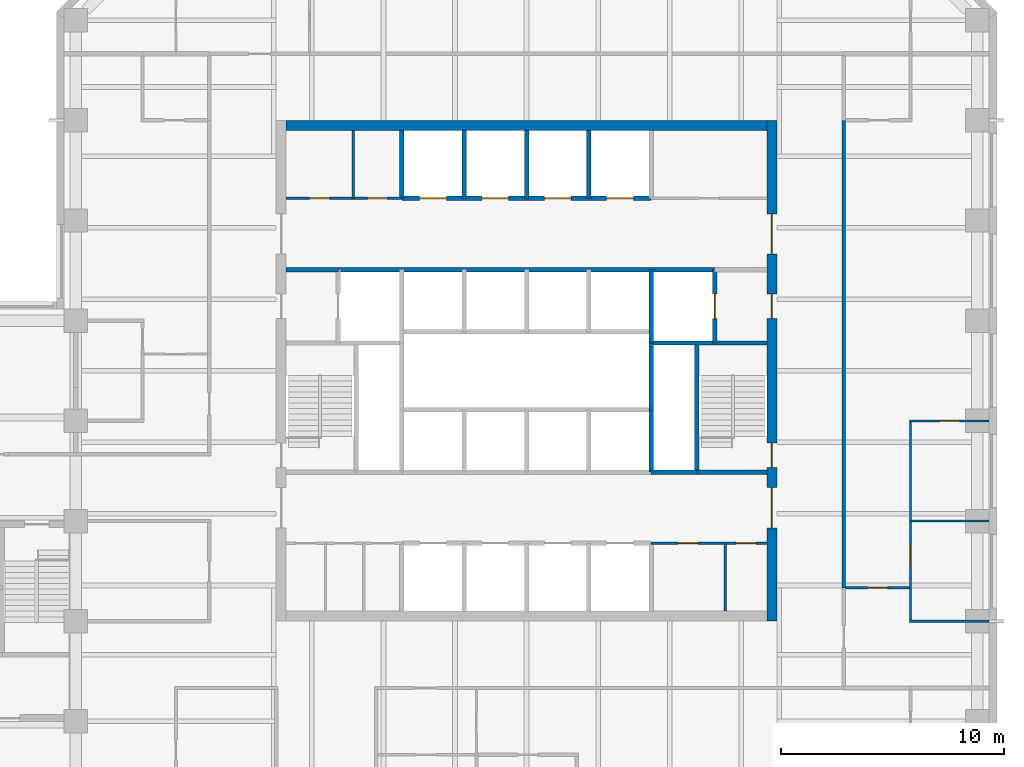
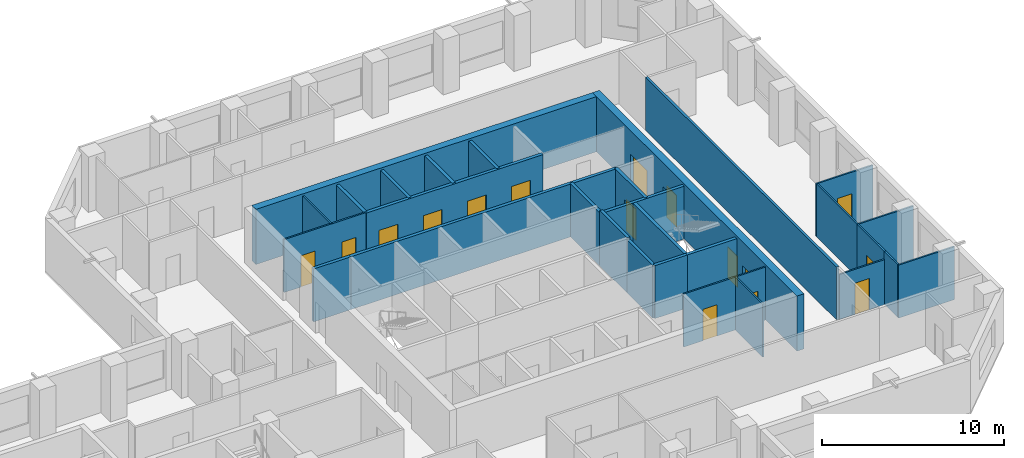
# One storey, part 8 of 11: 29 walls, 16 doors, 16 openings.
"""IFC4 building model written with IfcOpenShell, lengths in metres."""

from ifc_helpers import new_model, si_unit, direction, frame, frame_2d, origin, place, context, subcontext, project, spatial, rectangle, extrude, material, layer, layer_set, type_object, element, fill, save


model = new_model("IFC4")

# Units and contexts
model_context = context("Model", 3, precision=1e-05, world=origin(), true_north=direction((0.0, 1.0)))
body_context = subcontext(model_context, "Body", "Model", "MODEL_VIEW")
ifc_project = project(units=[si_unit("LENGTHUNIT", "METRE"), si_unit("AREAUNIT", "SQUARE_METRE"), si_unit("VOLUMEUNIT", "CUBIC_METRE"), si_unit("PLANEANGLEUNIT", "RADIAN"), si_unit("MASSUNIT", "GRAM", prefix="KILO")], contexts=[model_context])

# Site, building, storey
site_placement = place(None, origin())
site = spatial("IfcSite", under=ifc_project, at=site_placement, CompositionType="ELEMENT")
building_placement = place(site_placement, origin())
building = spatial("IfcBuilding", under=site, at=building_placement, Name="Quoin Convention Tower", CompositionType="ELEMENT")
storey_placement = place(building_placement, frame((0.0, 0.0, 78.89990234375)))
storey = spatial("IfcBuildingStorey", under=building, at=storey_placement, Name="L20", CompositionType="ELEMENT", Elevation=78.89990234375)

# Wall, openings, doors
ifc_material_1 = material(Name="Plasterboard")
ifc_layer_1 = layer(ifc_material_1, 0.012451171875, Name="Finish")
ifc_material_2 = material(Name="Steel stud framing", Category="steel")
ifc_layer_2 = layer(ifc_material_2, 0.074951171875, Name="Structure")
ifc_layer_3 = layer(ifc_material_1, 0.012451171875, Name="Finish")
ifc_layer_set_1 = layer_set([ifc_layer_1, ifc_layer_2, ifc_layer_3], Name="Steel stud framing")
wall_type_1 = type_object("IfcWallType", Name="Core partition wall", PredefinedType="PARTITIONING", material=ifc_layer_set_1)
wall_1_placement = place(storey_placement, frame((61.85009765625, 53.0, 0.0), z_axis=(0.0, 0.0, 1.0), x_axis=(1.0, 0.0, 0.0)))
wall_1 = element("IfcWall", 1, at=wall_1_placement, inside=storey, type_object=wall_type_1, Name="cr-C1-L20-h3500_16850", PredefinedType="PARTITIONING", context=body_context, shape_type="SweptSolid", body=[
    extrude(rectangle(XDim=5.199951171875, YDim=0.10009765625, at=frame_2d((2.60009765625, 0.0))), origin(), (0.0, 0.0, 1.0), 3.550048828125),
])
opening_1_placement = place(wall_1_placement, frame((3.81396484375, 0.0, 0.0)))
opening_1 = element("IfcOpeningElement", 2, at=opening_1_placement, cuts=wall_1, Name="Opening DCV1-25", PredefinedType="OPENING", context=body_context, shape_type="SweptSolid", body=[
    extrude(rectangle(XDim=0.89990234375, YDim=2.10009765625, at=frame_2d((0.449951171875, 1.050048828125))), frame((0.0, 0.06005859375, 0.0), z_axis=(0.0, -1.0, 0.0), x_axis=(1.0, 0.0, 0.0)), (0.0, 0.0, 1.0), 0.1201171875),
])
opening_2_placement = place(wall_1_placement, frame((1.214111328125, 0.0, 0.0)))
opening_2 = element("IfcOpeningElement", 3, at=opening_2_placement, cuts=wall_1, Name="Opening DCV1-21", PredefinedType="OPENING", context=body_context, shape_type="SweptSolid", body=[
    extrude(rectangle(XDim=0.89990234375, YDim=2.10009765625, at=frame_2d((0.449951171875, 1.050048828125))), frame((0.0, 0.06005859375, 0.0), z_axis=(0.0, -1.0, 0.0), x_axis=(1.0, 0.0, 0.0)), (0.0, 0.0, 1.0), 0.1201171875),
])
ifc_material_3 = material(Name="Steel door leaf", Category="steel")
door_type_1 = type_object("IfcDoorType", Name="Core room door 900 x 2100", OperationType="SINGLE_SWING_LEFT", PredefinedType="DOOR", material=ifc_material_3)
door_1_placement = place(opening_1_placement, frame((0.89990234375, 0.0, 0.0), z_axis=(0.0, 0.0, 1.0), x_axis=(-1.0, 0.0, 0.0)))
door_1 = element("IfcDoor", 4, at=door_1_placement, inside=storey, type_object=door_type_1, Name="cd-C1-L20-CSE0-lobA-CD2010", OperationType="SINGLE_SWING_LEFT", OverallHeight=2.10009765625, OverallWidth=0.89990234375, PredefinedType="DOOR", context=body_context, shape_type="SweptSolid", body=[
    extrude(rectangle(XDim=0.89990234375, YDim=2.10009765625, at=frame_2d((0.449951171875, 1.050048828125))), frame((0.0, 0.02490234375, 0.0), z_axis=(0.0, -1.0, 0.0), x_axis=(1.0, 0.0, 0.0)), (0.0, 0.0, 1.0), 0.050048828125),
])
fill(opening_1, door_1)
door_2_placement = place(opening_2_placement, frame((0.89990234375, 0.0, 0.0), z_axis=(0.0, 0.0, 1.0), x_axis=(-1.0, 0.0, 0.0)))
door_2 = element("IfcDoor", 5, at=door_2_placement, inside=storey, type_object=door_type_1, Name="cd-C1-L20-CSE1-lobA-CD2011", OperationType="SINGLE_SWING_RIGHT", OverallHeight=2.10009765625, OverallWidth=0.89990234375, PredefinedType="DOOR", context=body_context, shape_type="SweptSolid", body=[
    extrude(rectangle(XDim=0.89990234375, YDim=2.10009765625, at=frame_2d((0.449951171875, 1.050048828125))), frame((0.0, 0.02490234375, 0.0), z_axis=(0.0, -1.0, 0.0), x_axis=(1.0, 0.0, 0.0)), (0.0, 0.0, 1.0), 0.050048828125),
])
fill(opening_2, door_2)

wall_2_placement = place(storey_placement, frame((45.449951171875, 68.5, 0.0), z_axis=(0.0, 0.0, 1.0), x_axis=(1.0, 0.0, 0.0)))
wall_2 = element("IfcWall", 6, at=wall_2_placement, inside=storey, type_object=wall_type_1, Name="cr-C1-L20-h19000_450", PredefinedType="PARTITIONING", context=body_context, shape_type="SweptSolid", body=[
    extrude(rectangle(XDim=5.199951171875, YDim=0.10009765625, at=frame_2d((2.60009765625, 0.0))), origin(), (0.0, 0.0, 1.0), 3.550048828125),
])
opening_3_placement = place(wall_2_placement, frame((1.05810546875, 0.0, 0.0)))
opening_3 = element("IfcOpeningElement", 7, at=opening_3_placement, cuts=wall_2, Name="Opening DCV1-13", PredefinedType="OPENING", context=body_context, shape_type="SweptSolid", body=[
    extrude(rectangle(XDim=0.89990234375, YDim=2.10009765625, at=frame_2d((0.449951171875, 1.050048828125))), frame((0.0, 0.06005859375, 0.0), z_axis=(0.0, -1.0, 0.0), x_axis=(1.0, 0.0, 0.0)), (0.0, 0.0, 1.0), 0.1201171875),
])
opening_4_placement = place(wall_2_placement, frame((3.657958984375, 0.0, 0.0)))
opening_4 = element("IfcOpeningElement", 8, at=opening_4_placement, cuts=wall_2, Name="Opening DCV1-14", PredefinedType="OPENING", context=body_context, shape_type="SweptSolid", body=[
    extrude(rectangle(XDim=0.89990234375, YDim=2.10009765625, at=frame_2d((0.449951171875, 1.050048828125))), frame((0.0, 0.06005859375, 0.0), z_axis=(0.0, -1.0, 0.0), x_axis=(1.0, 0.0, 0.0)), (0.0, 0.0, 1.0), 0.1201171875),
])
door_3_placement = place(opening_3_placement, origin())
door_3 = element("IfcDoor", 9, at=door_3_placement, inside=storey, type_object=door_type_1, Name="cd-C1-L20-CNW0-lobB-CD2008", OperationType="SINGLE_SWING_RIGHT", OverallHeight=2.10009765625, OverallWidth=0.89990234375, PredefinedType="DOOR", context=body_context, shape_type="SweptSolid", body=[
    extrude(rectangle(XDim=0.89990234375, YDim=2.10009765625, at=frame_2d((0.449951171875, 1.050048828125))), frame((0.0, 0.02490234375, 0.0), z_axis=(0.0, -1.0, 0.0), x_axis=(1.0, 0.0, 0.0)), (0.0, 0.0, 1.0), 0.050048828125),
])
fill(opening_3, door_3)
door_4_placement = place(opening_4_placement, origin())
door_4 = element("IfcDoor", 10, at=door_4_placement, inside=storey, type_object=door_type_1, Name="cd-C1-L20-CNW1-lobB-CD2009", OperationType="SINGLE_SWING_RIGHT", OverallHeight=2.10009765625, OverallWidth=0.89990234375, PredefinedType="DOOR", context=body_context, shape_type="SweptSolid", body=[
    extrude(rectangle(XDim=0.89990234375, YDim=2.10009765625, at=frame_2d((0.449951171875, 1.050048828125))), frame((0.0, 0.02490234375, 0.0), z_axis=(0.0, -1.0, 0.0), x_axis=(1.0, 0.0, 0.0)), (0.0, 0.0, 1.0), 0.050048828125),
])
fill(opening_4, door_4)

# Walls
for number, where, z_axis, x_axis, name in (
    (11, (48.466064453125, 68.5, 0.0), (0.0, 0.0, 1.0), (0.0, 1.0, 0.0), "cr-C1-L20-v3466_19000"),
    (12, (65.177978515625, 49.949951171875, 0.0), (0.0, 0.0, 1.0), (0.0, 1.0, 0.0), "cr-C1-L20-v20178_450"),
):
    element("IfcWall", number, at=place(storey_placement, frame(where, z_axis=z_axis, x_axis=x_axis)), inside=storey, type_object=wall_type_1, Name=name, PredefinedType="PARTITIONING", context=body_context, shape_type="SweptSolid", body=[
        extrude(rectangle(XDim=3.050048828125, YDim=0.10009765625, at=frame_2d((1.52490234375, 0.0))), origin(), (0.0, 0.0, 1.0), 3.550048828125),
    ])
ifc_material_4 = material(Name="Concrete C50", Category="concrete")
ifc_layer_4 = layer(ifc_material_4, 0.199951171875)
ifc_layer_set_2 = layer_set([ifc_layer_4], Name="Concrete C50")
wall_type_2 = type_object("IfcWallType", Name="Core shaft wall", PredefinedType="SOLIDWALL", material=ifc_layer_set_2)
wall_3_placement = place(storey_placement, frame((61.85009765625, 56.199951171875, 0.0), z_axis=(0.0, 0.0, 1.0), x_axis=(1.0, 0.0, 0.0)))
element("IfcWall", 13, at=wall_3_placement, inside=storey, type_object=wall_type_2, Name="cr-C1-L20-h6700_16850", PredefinedType="SOLIDWALL", context=body_context, shape_type="SweptSolid", body=[
    extrude(rectangle(XDim=2.0498046875, YDim=0.199951171875, at=frame_2d((1.02490234375, 0.0))), origin(), (0.0, 0.0, 1.0), 3.550048828125),
])
wall_4_placement = place(storey_placement, frame((63.89990234375, 56.199951171875, 0.0), z_axis=(0.0, 0.0, 1.0), x_axis=(1.0, 0.0, 0.0)))
element("IfcWall", 14, at=wall_4_placement, inside=storey, type_object=wall_type_2, Name="cr-C1-L20-h6700_18900", PredefinedType="SOLIDWALL", context=body_context, shape_type="SweptSolid", body=[
    extrude(rectangle(XDim=3.150146484375, YDim=0.199951171875, at=frame_2d((1.5751953125, 0.0))), origin(), (0.0, 0.0, 1.0), 3.550048828125),
])
wall_5_placement = place(storey_placement, frame((61.85009765625, 62.0, 0.0), z_axis=(0.0, 0.0, 1.0), x_axis=(1.0, 0.0, 0.0)))
element("IfcWall", 15, at=wall_5_placement, inside=storey, type_object=wall_type_2, Name="cr-C1-L20-h12500_16850", PredefinedType="SOLIDWALL", context=body_context, shape_type="SweptSolid", body=[
    extrude(rectangle(XDim=5.199951171875, YDim=0.199951171875, at=frame_2d((2.60009765625, 0.0))), origin(), (0.0, 0.0, 1.0), 3.550048828125),
])
wall_6_placement = place(storey_placement, frame((45.449951171875, 65.300048828125, 0.0), z_axis=(0.0, 0.0, 1.0), x_axis=(1.0, 0.0, 0.0)))
element("IfcWall", 16, at=wall_6_placement, inside=storey, type_object=wall_type_2, Name="cr-C1-L20-h15800_450", PredefinedType="SOLIDWALL", context=body_context, shape_type="SweptSolid", body=[
    extrude(rectangle(XDim=2.35009765625, YDim=0.199951171875, at=frame_2d((1.175048828125, 0.0))), origin(), (0.0, 0.0, 1.0), 3.550048828125),
])
wall_7_placement = place(storey_placement, frame((47.800048828125, 65.300048828125, 0.0), z_axis=(0.0, 0.0, 1.0), x_axis=(1.0, 0.0, 0.0)))
element("IfcWall", 17, at=wall_7_placement, inside=storey, type_object=wall_type_2, Name="cr-C1-L20-h15800_2800", PredefinedType="SOLIDWALL", context=body_context, shape_type="SweptSolid", body=[
    extrude(rectangle(XDim=16.89990234375, YDim=0.199951171875, at=frame_2d((8.449951171875, 0.0))), origin(), (0.0, 0.0, 1.0), 3.550048828125),
])

# Wall, openings, doors
wall_8_placement = place(storey_placement, frame((50.64990234375, 68.5, 0.0), z_axis=(0.0, 0.0, 1.0), x_axis=(1.0, 0.0, 0.0)))
wall_8 = element("IfcWall", 18, at=wall_8_placement, inside=storey, type_object=wall_type_2, Name="cr-C1-L20-h19000_5650", PredefinedType="SOLIDWALL", context=body_context, shape_type="SweptSolid", body=[
    extrude(rectangle(XDim=11.2001953125, YDim=0.199951171875, at=frame_2d((5.60009765625, 0.0))), origin(), (0.0, 0.0, 1.0), 3.550048828125),
])
opening_5_placement = place(wall_8_placement, frame((0.800048828125, 0.0, 0.0)))
opening_5 = element("IfcOpeningElement", 19, at=opening_5_placement, cuts=wall_8, Name="Opening LDL5", PredefinedType="OPENING", context=body_context, shape_type="SweptSolid", body=[
    extrude(rectangle(XDim=1.199951171875, YDim=2.10009765625, at=frame_2d((0.60009765625, 1.050048828125))), frame((0.0, 0.10986328125, 0.0), z_axis=(0.0, -1.0, 0.0), x_axis=(1.0, 0.0, 0.0)), (0.0, 0.0, 1.0), 0.219970703125),
])
opening_6_placement = place(wall_8_placement, frame((3.60009765625, 0.0, 0.0)))
opening_6 = element("IfcOpeningElement", 20, at=opening_6_placement, cuts=wall_8, Name="Opening LDL6", PredefinedType="OPENING", context=body_context, shape_type="SweptSolid", body=[
    extrude(rectangle(XDim=1.199951171875, YDim=2.10009765625, at=frame_2d((0.60009765625, 1.050048828125))), frame((0.0, 0.10986328125, 0.0), z_axis=(0.0, -1.0, 0.0), x_axis=(1.0, 0.0, 0.0)), (0.0, 0.0, 1.0), 0.219970703125),
])
opening_7_placement = place(wall_8_placement, frame((6.39990234375, 0.0, 0.0)))
opening_7 = element("IfcOpeningElement", 21, at=opening_7_placement, cuts=wall_8, Name="Opening LDL7", PredefinedType="OPENING", context=body_context, shape_type="SweptSolid", body=[
    extrude(rectangle(XDim=1.199951171875, YDim=2.10009765625, at=frame_2d((0.60009765625, 1.050048828125))), frame((0.0, 0.10986328125, 0.0), z_axis=(0.0, -1.0, 0.0), x_axis=(1.0, 0.0, 0.0)), (0.0, 0.0, 1.0), 0.219970703125),
])
opening_8_placement = place(wall_8_placement, frame((9.199951171875, 0.0, 0.0)))
opening_8 = element("IfcOpeningElement", 22, at=opening_8_placement, cuts=wall_8, Name="Opening LDL8", PredefinedType="OPENING", context=body_context, shape_type="SweptSolid", body=[
    extrude(rectangle(XDim=1.199951171875, YDim=2.10009765625, at=frame_2d((0.60009765625, 1.050048828125))), frame((0.0, 0.10986328125, 0.0), z_axis=(0.0, -1.0, 0.0), x_axis=(1.0, 0.0, 0.0)), (0.0, 0.0, 1.0), 0.219970703125),
])
door_type_2 = type_object("IfcDoorType", Name="Lift landing door 1200 x 2100", OperationType="DOUBLE_DOOR_SLIDING", PredefinedType="DOOR", material=ifc_material_3)
door_5_placement = place(opening_5_placement, origin())
door_5 = element("IfcDoor", 23, at=door_5_placement, inside=storey, type_object=door_type_2, Name="cd-C1-L20-R40-lobB-LDL5", OperationType="DOUBLE_DOOR_SLIDING", OverallHeight=2.10009765625, OverallWidth=1.199951171875, PredefinedType="DOOR", context=body_context, shape_type="SweptSolid", body=[
    extrude(rectangle(XDim=1.199951171875, YDim=2.10009765625, at=frame_2d((0.60009765625, 1.050048828125))), frame((0.0, 0.02490234375, 0.0), z_axis=(0.0, -1.0, 0.0), x_axis=(1.0, 0.0, 0.0)), (0.0, 0.0, 1.0), 0.050048828125),
])
fill(opening_5, door_5)
door_6_placement = place(opening_6_placement, origin())
door_6 = element("IfcDoor", 24, at=door_6_placement, inside=storey, type_object=door_type_2, Name="cd-C1-L20-R41-lobB-LDL6", OperationType="DOUBLE_DOOR_SLIDING", OverallHeight=2.10009765625, OverallWidth=1.199951171875, PredefinedType="DOOR", context=body_context, shape_type="SweptSolid", body=[
    extrude(rectangle(XDim=1.199951171875, YDim=2.10009765625, at=frame_2d((0.60009765625, 1.050048828125))), frame((0.0, 0.02490234375, 0.0), z_axis=(0.0, -1.0, 0.0), x_axis=(1.0, 0.0, 0.0)), (0.0, 0.0, 1.0), 0.050048828125),
])
fill(opening_6, door_6)
door_7_placement = place(opening_7_placement, origin())
door_7 = element("IfcDoor", 25, at=door_7_placement, inside=storey, type_object=door_type_2, Name="cd-C1-L20-R42-lobB-LDL7", OperationType="DOUBLE_DOOR_SLIDING", OverallHeight=2.10009765625, OverallWidth=1.199951171875, PredefinedType="DOOR", context=body_context, shape_type="SweptSolid", body=[
    extrude(rectangle(XDim=1.199951171875, YDim=2.10009765625, at=frame_2d((0.60009765625, 1.050048828125))), frame((0.0, 0.02490234375, 0.0), z_axis=(0.0, -1.0, 0.0), x_axis=(1.0, 0.0, 0.0)), (0.0, 0.0, 1.0), 0.050048828125),
])
fill(opening_7, door_7)
door_8_placement = place(opening_8_placement, origin())
door_8 = element("IfcDoor", 26, at=door_8_placement, inside=storey, type_object=door_type_2, Name="cd-C1-L20-R43-lobB-LDL8", OperationType="DOUBLE_DOOR_SLIDING", OverallHeight=2.10009765625, OverallWidth=1.199951171875, PredefinedType="DOOR", context=body_context, shape_type="SweptSolid", body=[
    extrude(rectangle(XDim=1.199951171875, YDim=2.10009765625, at=frame_2d((0.60009765625, 1.050048828125))), frame((0.0, 0.02490234375, 0.0), z_axis=(0.0, -1.0, 0.0), x_axis=(1.0, 0.0, 0.0)), (0.0, 0.0, 1.0), 0.050048828125),
])
fill(opening_8, door_8)

# Walls
for number, where, z_axis, x_axis, name in (
    (27, (50.64990234375, 68.5, 0.0), (0.0, 0.0, 1.0), (0.0, 1.0, 0.0), "cr-C1-L20-v5650_19000"),
    (28, (53.449951171875, 68.5, 0.0), (0.0, 0.0, 1.0), (0.0, 1.0, 0.0), "cr-C1-L20-v8450_19000"),
    (29, (56.25, 68.5, 0.0), (0.0, 0.0, 1.0), (0.0, 1.0, 0.0), "cr-C1-L20-v11250_19000"),
    (30, (59.050048828125, 68.5, 0.0), (0.0, 0.0, 1.0), (0.0, 1.0, 0.0), "cr-C1-L20-v14050_19000"),
):
    element("IfcWall", number, at=place(storey_placement, frame(where, z_axis=z_axis, x_axis=x_axis)), inside=storey, type_object=wall_type_2, Name=name, PredefinedType="SOLIDWALL", context=body_context, shape_type="SweptSolid", body=[
        extrude(rectangle(XDim=3.050048828125, YDim=0.199951171875, at=frame_2d((1.52490234375, 0.0))), origin(), (0.0, 0.0, 1.0), 3.550048828125),
    ])
wall_9_placement = place(storey_placement, frame((61.85009765625, 56.199951171875, 0.0), z_axis=(0.0, 0.0, 1.0), x_axis=(0.0, 1.0, 0.0)))
element("IfcWall", 31, at=wall_9_placement, inside=storey, type_object=wall_type_2, Name="cr-C1-L20-v16850_6700", PredefinedType="SOLIDWALL", context=body_context, shape_type="SweptSolid", body=[
    extrude(rectangle(XDim=2.800048828125, YDim=0.199951171875, at=frame_2d((1.39990234375, 0.0))), origin(), (0.0, 0.0, 1.0), 3.550048828125),
])
wall_10_placement = place(storey_placement, frame((61.85009765625, 62.0, 0.0), z_axis=(0.0, 0.0, 1.0), x_axis=(0.0, 1.0, 0.0)))
element("IfcWall", 32, at=wall_10_placement, inside=storey, type_object=wall_type_2, Name="cr-C1-L20-v16850_12500", PredefinedType="SOLIDWALL", context=body_context, shape_type="SweptSolid", body=[
    extrude(rectangle(XDim=3.300048828125, YDim=0.199951171875, at=frame_2d((1.64990234375, 0.0))), origin(), (0.0, 0.0, 1.0), 3.550048828125),
])
wall_11_placement = place(storey_placement, frame((63.89990234375, 56.199951171875, 0.0), z_axis=(0.0, 0.0, 1.0), x_axis=(0.0, 1.0, 0.0)))
element("IfcWall", 33, at=wall_11_placement, inside=storey, type_object=wall_type_2, Name="cr-C1-L20-v18900_6700", PredefinedType="SOLIDWALL", context=body_context, shape_type="SweptSolid", body=[
    extrude(rectangle(XDim=5.800048828125, YDim=0.199951171875, at=frame_2d((2.89990234375, 0.0))), origin(), (0.0, 0.0, 1.0), 3.550048828125),
])

# Wall, opening, door
wall_12_placement = place(storey_placement, frame((64.699951171875, 62.0, 0.0), z_axis=(0.0, 0.0, 1.0), x_axis=(0.0, 1.0, 0.0)))
wall_12 = element("IfcWall", 34, at=wall_12_placement, inside=storey, type_object=wall_type_2, Name="cr-C1-L20-v19700_12500", PredefinedType="SOLIDWALL", context=body_context, shape_type="SweptSolid", body=[
    extrude(rectangle(XDim=3.300048828125, YDim=0.199951171875, at=frame_2d((1.64990234375, 0.0))), origin(), (0.0, 0.0, 1.0), 3.550048828125),
])
opening_9_placement = place(wall_12_placement, frame((1.10009765625, 0.0, 0.0)))
opening_9 = element("IfcOpeningElement", 35, at=opening_9_placement, cuts=wall_12, Name="Opening LDFL2", PredefinedType="OPENING", context=body_context, shape_type="SweptSolid", body=[
    extrude(rectangle(XDim=1.10009765625, YDim=2.10009765625, at=frame_2d((0.550048828125, 1.050048828125))), frame((0.0, 0.10986328125, 0.0), z_axis=(0.0, -1.0, 0.0), x_axis=(1.0, 0.0, 0.0)), (0.0, 0.0, 1.0), 0.219970703125),
])
door_type_3 = type_object("IfcDoorType", Name="Lift landing door 1100 x 2100", OperationType="DOUBLE_DOOR_SLIDING", PredefinedType="DOOR", material=ifc_material_3)
door_9_placement = place(opening_9_placement, origin())
door_9 = element("IfcDoor", 36, at=door_9_placement, inside=storey, type_object=door_type_3, Name="cd-C1-L20-FLE-FFE-LDFL2", OperationType="DOUBLE_DOOR_SLIDING", OverallHeight=2.10009765625, OverallWidth=1.10009765625, PredefinedType="DOOR", context=body_context, shape_type="SweptSolid", body=[
    extrude(rectangle(XDim=1.10009765625, YDim=2.10009765625, at=frame_2d((0.550048828125, 1.050048828125))), frame((0.0, 0.02490234375, 0.0), z_axis=(0.0, -1.0, 0.0), x_axis=(1.0, 0.0, 0.0)), (0.0, 0.0, 1.0), 0.050048828125),
])
fill(opening_9, door_9)

# Walls
ifc_layer_5 = layer(ifc_material_4, 0.199951171875)
ifc_layer_set_3 = layer_set([ifc_layer_5], Name="Concrete C50")
wall_type_3 = type_object("IfcWallType", Name="Core shaft wall to the floor level over", PredefinedType="SOLIDWALL", material=ifc_layer_set_3)
wall_13_placement = place(storey_placement, frame((61.85009765625, 59.0, 0.0), z_axis=(0.0, 0.0, 1.0), x_axis=(0.0, 1.0, 0.0)))
element("IfcWall", 37, at=wall_13_placement, inside=storey, type_object=wall_type_3, Name="cr-C1-L20-v16850_9500", PredefinedType="SOLIDWALL", context=body_context, shape_type="SweptSolid", body=[
    extrude(rectangle(XDim=3.0, YDim=0.199951171875, at=frame_2d((1.5, 0.0))), origin(), (0.0, 0.0, 1.0), 3.7001953125),
])
ifc_layer_6 = layer(ifc_material_1, 0.012451171875, Name="Finish")
ifc_layer_7 = layer(ifc_material_2, 0.125, Name="Structure")
ifc_layer_8 = layer(ifc_material_1, 0.012451171875, Name="Finish")
ifc_layer_set_4 = layer_set([ifc_layer_6, ifc_layer_7, ifc_layer_8], Name="Steel stud framing")
wall_type_4 = type_object("IfcWallType", Name="Corridor wall 150", PredefinedType="PARTITIONING", material=ifc_layer_set_4)
wall_14_placement = place(storey_placement, frame((70.5, 51.0, 0.0), z_axis=(0.0, 0.0, 1.0), x_axis=(0.0, 1.0, 0.0)))
element("IfcWall", 38, at=wall_14_placement, inside=storey, type_object=wall_type_4, Name="pw-L20-092", PredefinedType="PARTITIONING", context=body_context, shape_type="SweptSolid", body=[
    extrude(rectangle(XDim=21.0, YDim=0.14990234375, at=frame_2d((10.5, 0.0))), origin(), (0.0, 0.0, 1.0), 3.550048828125),
])
ifc_material_5 = material(Name="Concrete C65", Category="concrete")
ifc_layer_9 = layer(ifc_material_5, 0.449951171875)
ifc_layer_set_5 = layer_set([ifc_layer_9], Name="Concrete C65")
wall_type_5 = type_object("IfcWallType", Name="RC CORE WALL 450 C65", PredefinedType="SHEAR", material=ifc_layer_set_5)
wall_15_placement = place(storey_placement, frame((45.449951171875, 71.77490234375, 0.0), z_axis=(0.0, 0.0, 1.0), x_axis=(1.0, 0.0, 0.0)))
element("IfcWall", 39, at=wall_15_placement, inside=storey, type_object=wall_type_5, Name="cwl-C1-L20-N", PredefinedType="SHEAR", context=body_context, shape_type="SweptSolid", body=[
    extrude(rectangle(XDim=21.60009765625, YDim=0.449951171875, at=frame_2d((10.800048828125, 0.0))), origin(), (0.0, 0.0, 1.0), 3.7001953125),
])

# Wall, openings, doors
wall_16_placement = place(storey_placement, frame((67.27490234375, 49.5, 0.0), z_axis=(0.0, 0.0, 1.0), x_axis=(0.0, 1.0, 0.0)))
wall_16 = element("IfcWall", 40, at=wall_16_placement, inside=storey, type_object=wall_type_5, Name="cwl-C1-L20-E", PredefinedType="SHEAR", context=body_context, shape_type="SweptSolid", body=[
    extrude(rectangle(XDim=22.5, YDim=0.449951171875, at=frame_2d((11.25, 0.0))), origin(), (0.0, 0.0, 1.0), 3.7001953125),
])
opening_10_placement = place(wall_16_placement, frame((4.199951171875, 0.0, 0.0)))
opening_10 = element("IfcOpeningElement", 41, at=opening_10_placement, cuts=wall_16, Name="Opening DCV1-47", PredefinedType="OPENING", context=body_context, shape_type="SweptSolid", body=[
    extrude(rectangle(XDim=1.800048828125, YDim=2.10009765625, at=frame_2d((0.89990234375, 1.050048828125))), frame((0.0, 0.23486328125, 0.0), z_axis=(0.0, -1.0, 0.0), x_axis=(1.0, 0.0, 0.0)), (0.0, 0.0, 1.0), 0.469970703125),
])
opening_11_placement = place(wall_16_placement, frame((6.89990234375, 0.0, 0.0)))
opening_11 = element("IfcOpeningElement", 42, at=opening_11_placement, cuts=wall_16, Name="Opening SD2", PredefinedType="OPENING", context=body_context, shape_type="SweptSolid", body=[
    extrude(rectangle(XDim=1.10009765625, YDim=2.10009765625, at=frame_2d((0.550048828125, 1.050048828125))), frame((0.0, 0.23486328125, 0.0), z_axis=(0.0, -1.0, 0.0), x_axis=(1.0, 0.0, 0.0)), (0.0, 0.0, 1.0), 0.469970703125),
])
opening_12_placement = place(wall_16_placement, frame((13.60009765625, 0.0, 0.0)))
opening_12 = element("IfcOpeningElement", 43, at=opening_12_placement, cuts=wall_16, Name="Opening DCV1-46", PredefinedType="OPENING", context=body_context, shape_type="SweptSolid", body=[
    extrude(rectangle(XDim=1.10009765625, YDim=2.10009765625, at=frame_2d((0.550048828125, 1.050048828125))), frame((0.0, 0.23486328125, 0.0), z_axis=(0.0, -1.0, 0.0), x_axis=(1.0, 0.0, 0.0)), (0.0, 0.0, 1.0), 0.469970703125),
])
opening_13_placement = place(wall_16_placement, frame((16.5, 0.0, 0.0)))
opening_13 = element("IfcOpeningElement", 44, at=opening_13_placement, cuts=wall_16, Name="Opening DCV1-47", PredefinedType="OPENING", context=body_context, shape_type="SweptSolid", body=[
    extrude(rectangle(XDim=1.800048828125, YDim=2.10009765625, at=frame_2d((0.89990234375, 1.050048828125))), frame((0.0, 0.23486328125, 0.0), z_axis=(0.0, -1.0, 0.0), x_axis=(1.0, 0.0, 0.0)), (0.0, 0.0, 1.0), 0.469970703125),
])
door_type_4 = type_object("IfcDoorType", Name="Fire-fighting lobby door 1100 x 2100", OperationType="SINGLE_SWING_LEFT", PredefinedType="DOOR", material=ifc_material_3)
door_10_placement = place(opening_12_placement, origin())
door_10 = element("IfcDoor", 45, at=door_10_placement, inside=storey, type_object=door_type_4, Name="cd-C1-L20-FFE-E", OperationType="SINGLE_SWING_RIGHT", OverallHeight=2.10009765625, OverallWidth=1.10009765625, PredefinedType="DOOR", context=body_context, shape_type="SweptSolid", body=[
    extrude(rectangle(XDim=1.10009765625, YDim=2.10009765625, at=frame_2d((0.550048828125, 1.050048828125))), frame((0.0, 0.02490234375, 0.0), z_axis=(0.0, -1.0, 0.0), x_axis=(1.0, 0.0, 0.0)), (0.0, 0.0, 1.0), 0.050048828125),
])
fill(opening_12, door_10)
door_type_5 = type_object("IfcDoorType", Name="Lift lobby door 1800 x 2100", OperationType="SINGLE_SWING_LEFT", PredefinedType="DOOR", material=ifc_material_3)
door_11_placement = place(opening_10_placement, origin())
door_11 = element("IfcDoor", 46, at=door_11_placement, inside=storey, type_object=door_type_5, Name="cd-C1-L20-lobA-E", OperationType="SINGLE_SWING_RIGHT", OverallHeight=2.10009765625, OverallWidth=1.800048828125, PredefinedType="DOOR", context=body_context, shape_type="SweptSolid", body=[
    extrude(rectangle(XDim=1.800048828125, YDim=2.10009765625, at=frame_2d((0.89990234375, 1.050048828125))), frame((0.0, 0.02490234375, 0.0), z_axis=(0.0, -1.0, 0.0), x_axis=(1.0, 0.0, 0.0)), (0.0, 0.0, 1.0), 0.050048828125),
])
fill(opening_10, door_11)
door_12_placement = place(opening_13_placement, origin())
door_12 = element("IfcDoor", 47, at=door_12_placement, inside=storey, type_object=door_type_5, Name="cd-C1-L20-lobB-E", OperationType="SINGLE_SWING_RIGHT", OverallHeight=2.10009765625, OverallWidth=1.800048828125, PredefinedType="DOOR", context=body_context, shape_type="SweptSolid", body=[
    extrude(rectangle(XDim=1.800048828125, YDim=2.10009765625, at=frame_2d((0.89990234375, 1.050048828125))), frame((0.0, 0.02490234375, 0.0), z_axis=(0.0, -1.0, 0.0), x_axis=(1.0, 0.0, 0.0)), (0.0, 0.0, 1.0), 0.050048828125),
])
fill(opening_13, door_12)
door_type_6 = type_object("IfcDoorType", Name="Stair door 1100 x 2100", OperationType="SINGLE_SWING_RIGHT", PredefinedType="DOOR", material=ifc_material_3)
door_13_placement = place(opening_11_placement, origin())
door_13 = element("IfcDoor", 48, at=door_13_placement, inside=storey, type_object=door_type_6, Name="cd-C1-L20-STE-E", OperationType="SINGLE_SWING_LEFT", OverallHeight=2.10009765625, OverallWidth=1.10009765625, PredefinedType="DOOR", context=body_context, shape_type="SweptSolid", body=[
    extrude(rectangle(XDim=1.10009765625, YDim=2.10009765625, at=frame_2d((0.550048828125, 1.050048828125))), frame((0.0, 0.02490234375, 0.0), z_axis=(0.0, -1.0, 0.0), x_axis=(1.0, 0.0, 0.0)), (0.0, 0.0, 1.0), 0.050048828125),
])
fill(opening_11, door_13)

# Walls
ifc_layer_10 = layer(ifc_material_1, 0.012451171875, Name="Finish")
ifc_layer_11 = layer(ifc_material_2, 0.074951171875, Name="Structure")
ifc_layer_12 = layer(ifc_material_1, 0.012451171875, Name="Finish")
ifc_layer_set_6 = layer_set([ifc_layer_10, ifc_layer_11, ifc_layer_12], Name="Steel stud framing")
wall_type_6 = type_object("IfcWallType", Name="Stud partition 100", PredefinedType="PARTITIONING", material=ifc_layer_set_6)
wall_17_placement = place(storey_placement, frame((73.449951171875, 49.5, 0.0), z_axis=(0.0, 0.0, 1.0), x_axis=(1.0, 0.0, 0.0)))
element("IfcWall", 49, at=wall_17_placement, inside=storey, type_object=wall_type_6, Name="pw-L20-031", PredefinedType="PARTITIONING", context=body_context, shape_type="SweptSolid", body=[
    extrude(rectangle(XDim=3.574951171875, YDim=0.10009765625, at=frame_2d((1.78759765625, 0.0))), origin(), (0.0, 0.0, 1.0), 3.550048828125),
])
wall_18_placement = place(storey_placement, frame((73.550048828125, 54.0, 0.0), z_axis=(0.0, 0.0, 1.0), x_axis=(1.0, 0.0, 0.0)))
element("IfcWall", 50, at=wall_18_placement, inside=storey, type_object=wall_type_6, Name="pw-L20-036", PredefinedType="PARTITIONING", context=body_context, shape_type="SweptSolid", body=[
    extrude(rectangle(XDim=3.474853515625, YDim=0.10009765625, at=frame_2d((1.7373046875, 0.0))), origin(), (0.0, 0.0, 1.0), 3.550048828125),
])

# Wall, opening, door
wall_19_placement = place(storey_placement, frame((73.449951171875, 58.5, 0.0), z_axis=(0.0, 0.0, 1.0), x_axis=(1.0, 0.0, 0.0)))
wall_19 = element("IfcWall", 51, at=wall_19_placement, inside=storey, type_object=wall_type_6, Name="pw-L20-042", PredefinedType="PARTITIONING", context=body_context, shape_type="SweptSolid", body=[
    extrude(rectangle(XDim=3.574951171875, YDim=0.10009765625, at=frame_2d((1.78759765625, 0.0))), origin(), (0.0, 0.0, 1.0), 3.550048828125),
])
opening_14_placement = place(wall_19_placement, frame((1.35009765625, 0.0, 0.0)))
opening_14 = element("IfcOpeningElement", 52, at=opening_14_placement, cuts=wall_19, Name="Opening DOL1-14", PredefinedType="OPENING", context=body_context, shape_type="SweptSolid", body=[
    extrude(rectangle(XDim=0.89990234375, YDim=2.10009765625, at=frame_2d((0.449951171875, 1.050048828125))), frame((0.0, 0.06005859375, 0.0), z_axis=(0.0, -1.0, 0.0), x_axis=(1.0, 0.0, 0.0)), (0.0, 0.0, 1.0), 0.1201171875),
])
door_type_7 = type_object("IfcDoorType", Name="Office door 900 x 2100", OperationType="SINGLE_SWING_RIGHT", PredefinedType="DOOR", material=ifc_material_3)
door_14_placement = place(opening_14_placement, origin())
door_14 = element("IfcDoor", 53, at=door_14_placement, inside=storey, type_object=door_type_7, Name="dr-L20-31", OperationType="SINGLE_SWING_RIGHT", OverallHeight=2.10009765625, OverallWidth=0.89990234375, PredefinedType="DOOR", context=body_context, shape_type="SweptSolid", body=[
    extrude(rectangle(XDim=0.89990234375, YDim=2.10009765625, at=frame_2d((0.449951171875, 1.050048828125))), frame((0.0, 0.02490234375, 0.0), z_axis=(0.0, -1.0, 0.0), x_axis=(1.0, 0.0, 0.0)), (0.0, 0.0, 1.0), 0.050048828125),
])
fill(opening_14, door_14)

# Wall
wall_20_placement = place(storey_placement, frame((73.5, 49.550048828125, 0.0), z_axis=(0.0, 0.0, 1.0), x_axis=(0.0, 1.0, 0.0)))
element("IfcWall", 54, at=wall_20_placement, inside=storey, type_object=wall_type_6, Name="pw-L20-089", PredefinedType="PARTITIONING", context=body_context, shape_type="SweptSolid", body=[
    extrude(rectangle(XDim=1.449951171875, YDim=0.10009765625, at=frame_2d((0.72509765625, 0.0))), origin(), (0.0, 0.0, 1.0), 3.550048828125),
])

# Wall, opening, door
wall_21_placement = place(storey_placement, frame((73.5, 51.0, 0.0), z_axis=(0.0, 0.0, 1.0), x_axis=(0.0, 1.0, 0.0)))
wall_21 = element("IfcWall", 55, at=wall_21_placement, inside=storey, type_object=wall_type_6, Name="pw-L20-093", PredefinedType="PARTITIONING", context=body_context, shape_type="SweptSolid", body=[
    extrude(rectangle(XDim=3.0, YDim=0.10009765625, at=frame_2d((1.5, 0.0))), origin(), (0.0, 0.0, 1.0), 3.550048828125),
])
opening_15_placement = place(wall_21_placement, frame((1.050048828125, 0.0, 0.0)))
opening_15 = element("IfcOpeningElement", 56, at=opening_15_placement, cuts=wall_21, Name="Opening DOL1-29", PredefinedType="OPENING", context=body_context, shape_type="SweptSolid", body=[
    extrude(rectangle(XDim=0.89990234375, YDim=2.10009765625, at=frame_2d((0.449951171875, 1.050048828125))), frame((0.0, 0.06005859375, 0.0), z_axis=(0.0, -1.0, 0.0), x_axis=(1.0, 0.0, 0.0)), (0.0, 0.0, 1.0), 0.1201171875),
])
door_15_placement = place(opening_15_placement, origin())
door_15 = element("IfcDoor", 57, at=door_15_placement, inside=storey, type_object=door_type_7, Name="dr-L20-30", OperationType="SINGLE_SWING_RIGHT", OverallHeight=2.10009765625, OverallWidth=0.89990234375, PredefinedType="DOOR", context=body_context, shape_type="SweptSolid", body=[
    extrude(rectangle(XDim=0.89990234375, YDim=2.10009765625, at=frame_2d((0.449951171875, 1.050048828125))), frame((0.0, 0.02490234375, 0.0), z_axis=(0.0, -1.0, 0.0), x_axis=(1.0, 0.0, 0.0)), (0.0, 0.0, 1.0), 0.050048828125),
])
fill(opening_15, door_15)

# Wall
wall_22_placement = place(storey_placement, frame((73.5, 54.0, 0.0), z_axis=(0.0, 0.0, 1.0), x_axis=(0.0, 1.0, 0.0)))
element("IfcWall", 58, at=wall_22_placement, inside=storey, type_object=wall_type_6, Name="pw-L20-094", PredefinedType="PARTITIONING", context=body_context, shape_type="SweptSolid", body=[
    extrude(rectangle(XDim=4.449951171875, YDim=0.10009765625, at=frame_2d((2.22509765625, 0.0))), origin(), (0.0, 0.0, 1.0), 3.550048828125),
])

# Wall, opening, door
ifc_layer_13 = layer(ifc_material_1, 0.012451171875, Name="Finish")
ifc_layer_14 = layer(ifc_material_2, 0.074951171875, Name="Structure")
ifc_layer_15 = layer(ifc_material_1, 0.012451171875, Name="Finish")
ifc_layer_set_7 = layer_set([ifc_layer_13, ifc_layer_14, ifc_layer_15], Name="Steel stud framing")
wall_type_7 = type_object("IfcWallType", Name="Stud partition 100 under beam 528", PredefinedType="PARTITIONING", material=ifc_layer_set_7)
wall_23_placement = place(storey_placement, frame((70.574951171875, 51.0, 0.0), z_axis=(0.0, 0.0, 1.0), x_axis=(1.0, 0.0, 0.0)))
wall_23 = element("IfcWall", 59, at=wall_23_placement, inside=storey, type_object=wall_type_7, Name="pw-L20-033", PredefinedType="PARTITIONING", context=body_context, shape_type="SweptSolid", body=[
    extrude(rectangle(XDim=2.875, YDim=0.10009765625, at=frame_2d((1.4375, 0.0))), origin(), (0.0, 0.0, 1.0), 3.022216796875),
])
opening_16_placement = place(wall_23_placement, frame((1.0, 0.0, 0.0)))
opening_16 = element("IfcOpeningElement", 60, at=opening_16_placement, cuts=wall_23, Name="Opening DOL1-12", PredefinedType="OPENING", context=body_context, shape_type="SweptSolid", body=[
    extrude(rectangle(XDim=0.89990234375, YDim=2.10009765625, at=frame_2d((0.449951171875, 1.050048828125))), frame((0.0, 0.06005859375, 0.0), z_axis=(0.0, -1.0, 0.0), x_axis=(1.0, 0.0, 0.0)), (0.0, 0.0, 1.0), 0.1201171875),
])
door_16_placement = place(opening_16_placement, origin())
door_16 = element("IfcDoor", 61, at=door_16_placement, inside=storey, type_object=door_type_7, Name="dr-L20-29", OperationType="SINGLE_SWING_RIGHT", OverallHeight=2.10009765625, OverallWidth=0.89990234375, PredefinedType="DOOR", context=body_context, shape_type="SweptSolid", body=[
    extrude(rectangle(XDim=0.89990234375, YDim=2.10009765625, at=frame_2d((0.449951171875, 1.050048828125))), frame((0.0, 0.02490234375, 0.0), z_axis=(0.0, -1.0, 0.0), x_axis=(1.0, 0.0, 0.0)), (0.0, 0.0, 1.0), 0.050048828125),
])
fill(opening_16, door_16)

save(model, "model.ifc")
